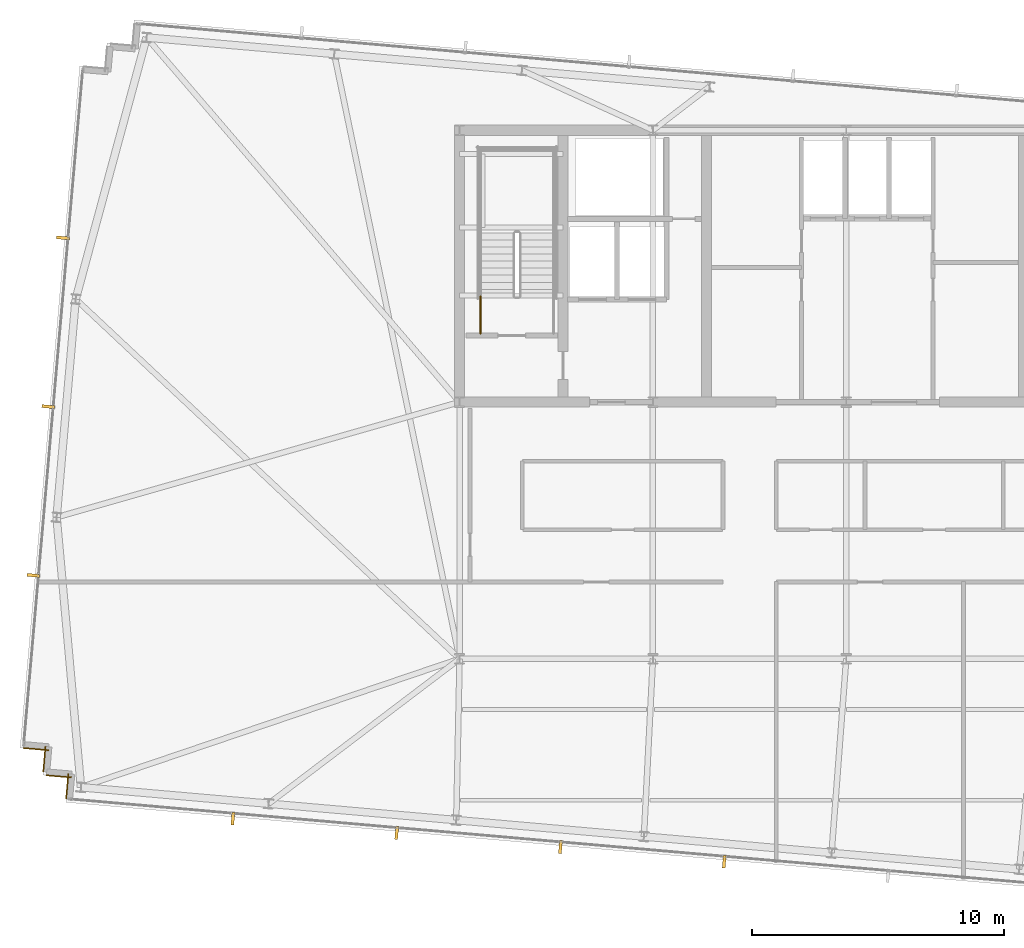
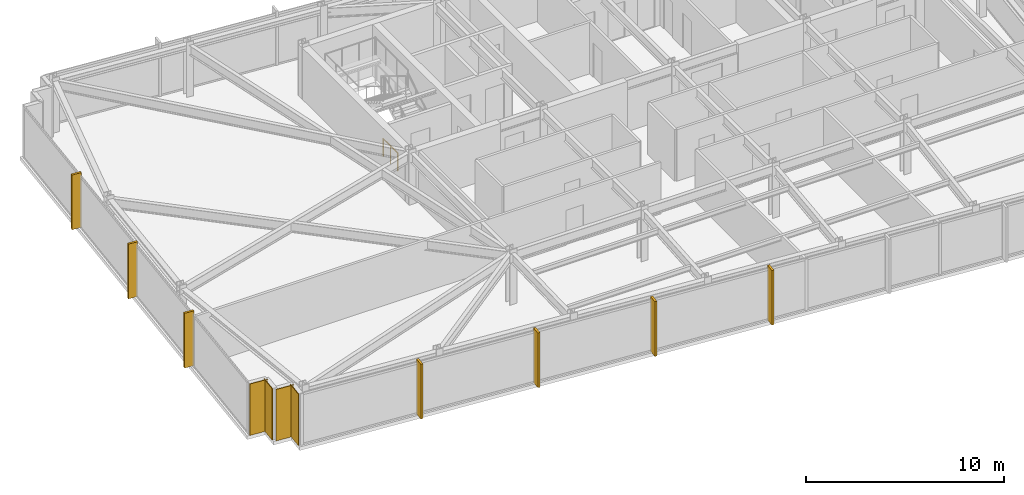
# One storey, part 29 of 32: 7 shading devices, 4 coverings, 1 railing.
"""IFC4 building model written with IfcOpenShell, lengths in metres."""

import ifcopenshell
import ifcopenshell.guid

model = None  # the IFC model being written
_history = None  # IfcOwnerHistory: only IFC2X3 demands one
_inside = {}  # id of a spatial element -> (the spatial element, [elements in it])
_under = {}  # id of a project, library or spatial element -> (it, [spatial elements below it])
_declared = {}  # id of a project -> (the project, [libraries it declares])
_typed = {}  # id of a type object -> (the type object, [elements of that type])
_made_of = {}  # id of a material, layer set ... -> (it, [elements and type objects made of it])


def new_model(schema):
    """Start an empty IFC model of exactly this schema.

    Asked for "IFC4X3", IfcOpenShell would pick the latest addendum, in which some entities
    have other attributes; the version numbers below select the first issue.
    IFC2X3 requires an IfcOwnerHistory on every rooted entity: one is made here for all.
    """
    global model, _history
    if schema == "IFC4X3":
        model = ifcopenshell.file(schema_version=(4, 3, 0, 0))
    else:
        model = ifcopenshell.file(schema=schema)
    _inside.clear()
    _under.clear()
    _declared.clear()
    _typed.clear()
    _made_of.clear()
    _history = None
    if model.schema == "IFC2X3":
        org = make("IfcOrganization", Name="unknown")
        user = make(
            "IfcPersonAndOrganization",
            ThePerson=make("IfcPerson", FamilyName="unknown"),
            TheOrganization=org,
        )
        app = make(
            "IfcApplication",
            ApplicationDeveloper=org,
            Version="unknown",
            ApplicationFullName="unknown",
            ApplicationIdentifier="unknown",
        )
        _history = make(
            "IfcOwnerHistory",
            OwningUser=user,
            OwningApplication=app,
            ChangeAction="ADDED",
            CreationDate=0,
        )
    return model


def make(cls, **values):
    """One entity of the class cls with the attributes given. An attribute that is None is left unset."""
    return model.create_entity(
        cls, **{name: value for name, value in values.items() if value is not None}
    )


def rooted(cls, **values):
    """An entity with a GlobalId (a new one), such as an element, a storey or a relation."""
    return make(cls, GlobalId=ifcopenshell.guid.new(), OwnerHistory=_history, **values)


def si_unit(unit_type, name, prefix=None):
    """IfcSIUnit, for example si_unit("LENGTHUNIT", "METRE", prefix="MILLI")."""
    return make("IfcSIUnit", UnitType=unit_type, Prefix=prefix, Name=name)


def assignment(units):
    """IfcUnitAssignment: the units of a project."""
    return None if units is None else make("IfcUnitAssignment", Units=units)


def point(xyz):
    """IfcCartesianPoint."""
    return None if xyz is None else make("IfcCartesianPoint", Coordinates=xyz)


def direction(xyz):
    """IfcDirection."""
    return None if xyz is None else make("IfcDirection", DirectionRatios=xyz)


def frame(location, z_axis=None, x_axis=None):
    """IfcAxis2Placement3D, a coordinate frame: its origin and axes. An axis left out is left unset."""
    return make(
        "IfcAxis2Placement3D",
        Location=point(location),
        Axis=direction(z_axis),
        RefDirection=direction(x_axis),
    )


def frame_2d(location, x_axis=None):
    """IfcAxis2Placement2D, a coordinate frame in the plane: its origin and x axis."""
    return make(
        "IfcAxis2Placement2D", Location=point(location), RefDirection=direction(x_axis)
    )


def origin():
    """The frame at (0, 0, 0) with its axes left unset."""
    return frame((0.0, 0.0, 0.0))


def origin_2d():
    """The frame at (0, 0) in the plane with its x axis left unset."""
    return frame_2d((0.0, 0.0))


def place(relative_to, where):
    """IfcLocalPlacement: puts the frame where relative to a parent placement (None: the world)."""
    return make(
        "IfcLocalPlacement", PlacementRelTo=relative_to, RelativePlacement=where
    )


def context(
    kind, dimensions, precision=None, world=None, true_north=None, identifier=None
):
    """IfcGeometricRepresentationContext, for example the 3D "Model" context."""
    return make(
        "IfcGeometricRepresentationContext",
        ContextIdentifier=identifier,
        ContextType=kind,
        CoordinateSpaceDimension=dimensions,
        Precision=precision,
        WorldCoordinateSystem=world,
        TrueNorth=true_north,
    )


def subcontext(parent, identifier, kind, view, scale=None):
    """IfcGeometricRepresentationSubContext, for example "Body" below "Model"."""
    return make(
        "IfcGeometricRepresentationSubContext",
        ContextIdentifier=identifier,
        ContextType=kind,
        ParentContext=parent,
        TargetScale=scale,
        TargetView=view,
    )


def project(units=None, contexts=None):
    """IfcProject with its units and contexts."""
    return rooted(
        "IfcProject",
        Name="project",
        RepresentationContexts=contexts,
        UnitsInContext=assignment(units),
    )


def spatial(cls, under=None, at=None, **own):
    """A site, building, storey or space (cls), placed at a placement, below another one or the project."""
    s = rooted(cls, ObjectPlacement=at, **own)
    if under is not None:
        _under.setdefault(under.id(), (under, []))[1].append(s)
    return s


def profile(cls, at=None, kind="AREA", **sizes):
    """A parametric profile (cls). Its sizes go by their IFC names, for example OverallWidth=200.0."""
    return make(cls, ProfileType=kind, Position=at, **sizes)


def rectangle(**sizes):
    """IfcRectangleProfileDef."""
    return profile("IfcRectangleProfileDef", **sizes)


def circle(**sizes):
    """IfcCircleProfileDef."""
    return profile("IfcCircleProfileDef", **sizes)


def extrude(swept, where, along, depth):
    """IfcExtrudedAreaSolid: the profile swept, set in the frame where, extruded along a direction by depth."""
    return make(
        "IfcExtrudedAreaSolid",
        SweptArea=swept,
        Position=where,
        ExtrudedDirection=direction(along),
        Depth=depth,
    )


def shape(context_of_items, identifier, shape_type, items):
    """IfcShapeRepresentation: the items that make up one representation, for example the "Body"."""
    return make(
        "IfcShapeRepresentation",
        ContextOfItems=context_of_items,
        RepresentationIdentifier=identifier,
        RepresentationType=shape_type,
        Items=items,
    )


def material(Name=None, Category=None):
    """IfcMaterial."""
    return make("IfcMaterial", Name=Name, Category=Category)


def layer(
    of_material, thickness, ventilated=None, Name=None, Category=None, Priority=None
):
    """IfcMaterialLayer: one layer of a wall or slab, of a material (None: an air gap)."""
    return make(
        "IfcMaterialLayer",
        Material=of_material,
        LayerThickness=thickness,
        IsVentilated=ventilated,
        Name=Name,
        Category=Category,
        Priority=Priority,
    )


def layer_set(layers, Name=None):
    """IfcMaterialLayerSet."""
    return make("IfcMaterialLayerSet", MaterialLayers=layers, LayerSetName=Name)


def made_of(thing, what):
    """Note that an element or type object is made of a material, layer set ...; save() writes the relation."""
    if what is not None:
        _made_of.setdefault(what.id(), (what, []))[1].append(thing)
    return thing


def type_object(cls, material=None, **own):
    """A type object (cls), such as IfcWallType, which elements share."""
    return made_of(rooted(cls, **own), material)


def element(
    cls,
    number,
    at=None,
    inside=None,
    cuts=None,
    type_object=None,
    material=None,
    context=None,
    identifier="Body",
    shape_type=None,
    held_by="IfcProductDefinitionShape",
    body=None,
    shapes=None,
    **own,
):
    """One element of the class cls, such as IfcWall. Its Tag is "e" and its number.

    at: its placement. inside: the storey or other place that contains it. cuts: it is an
    opening in that element (IfcRelVoidsElement). A single representation is given by context,
    identifier, shape_type and body (its items); several are given by shapes. held_by: the class
    of the entity that holds the representations. save() writes the other relations.
    """
    e = rooted(cls, Tag="e%d" % number, ObjectPlacement=at, **own)
    if body is not None:
        shapes = [shape(context, identifier, shape_type, body)]
    if shapes is not None:
        e.Representation = make(held_by, Representations=shapes)
    if inside is not None:
        _inside.setdefault(inside.id(), (inside, []))[1].append(e)
    if cuts is not None:
        rooted(
            "IfcRelVoidsElement", RelatingBuildingElement=cuts, RelatedOpeningElement=e
        )
    if type_object is not None:
        _typed.setdefault(type_object.id(), (type_object, []))[1].append(e)
    return made_of(e, material)


def aggregate(whole, parts):
    """IfcRelAggregates: a whole, such as a stair, and the parts it consists of."""
    return rooted("IfcRelAggregates", RelatingObject=whole, RelatedObjects=parts)


def save(model, path):
    """Write the relations noted so far, then the file.

    IfcRelAggregates (storeys below a building ...), IfcRelContainedInSpatialStructure (elements
    in a storey), IfcRelDefinesByType, IfcRelAssociatesMaterial and IfcRelDeclares: one each for
    every whole, place, type object, material and project.
    """
    for whole, parts in _under.values():
        aggregate(whole, parts)
    for where, things in _inside.values():
        rooted(
            "IfcRelContainedInSpatialStructure",
            RelatedElements=things,
            RelatingStructure=where,
        )
    for kind, things in _typed.values():
        rooted("IfcRelDefinesByType", RelatedObjects=things, RelatingType=kind)
    for what, things in _made_of.values():
        rooted("IfcRelAssociatesMaterial", RelatedObjects=things, RelatingMaterial=what)
    for by, libraries in _declared.values():
        rooted("IfcRelDeclares", RelatingContext=by, RelatedDefinitions=libraries)
    model.write(path)


model = new_model("IFC4")

# Units and contexts
model_context = context("Model", 3, precision=1e-05, world=origin(), true_north=direction((0.0, 1.0)))
body_context = subcontext(model_context, "Body", "Model", "MODEL_VIEW")
ifc_project = project(units=[si_unit("LENGTHUNIT", "METRE"), si_unit("AREAUNIT", "SQUARE_METRE"), si_unit("VOLUMEUNIT", "CUBIC_METRE"), si_unit("PLANEANGLEUNIT", "RADIAN"), si_unit("MASSUNIT", "GRAM", prefix="KILO")], contexts=[model_context])

# Site, building, storey
site_placement = place(None, origin())
site = spatial("IfcSite", under=ifc_project, at=site_placement, CompositionType="ELEMENT")
building_placement = place(site_placement, origin())
building = spatial("IfcBuilding", under=site, at=building_placement, Name="Yelkora Congress Tower", CompositionType="ELEMENT")
storey_placement = place(building_placement, frame((0.0, 0.0, 269.300048828125)))
storey = spatial("IfcBuildingStorey", under=building, at=storey_placement, Name="L75", CompositionType="ELEMENT", Elevation=269.300048828125)

# Coverings
ifc_material_1 = material(Name="Anatolian bush-hammered limestone", Category="masonry")
ifc_layer_1 = layer(ifc_material_1, 0.0400390625)
ifc_layer_set_1 = layer_set([ifc_layer_1], Name="Anatolian bush-hammered limestone")
covering_type = type_object("IfcCoveringType", Name="COV-CLAD-SPANDREL-40", PredefinedType="CLADDING", material=ifc_layer_set_1)
for number, where, z_axis, x_axis, name in (
    (1, (7.41064453125, 19.63720703125, 0.0), (0.0, 0.0, 1.0), (0.087166950281, 0.996193717496, 0.0), "L75 Anatolian Limestone Cladding EW-L75-SR01"),
    (2, (7.62060546875, 20.4873046875, 0.0), (0.0, 0.0, 1.0), (-0.996214890596, 0.086924632611, 0.0), "L75 Anatolian Limestone Cladding EW-L75-SR02"),
):
    element("IfcCovering", number, at=place(storey_placement, frame(where, z_axis=z_axis, x_axis=x_axis)), inside=storey, type_object=covering_type, Name=name, PredefinedType="CLADDING", context=body_context, shape_type="SweptSolid", body=[
        extrude(rectangle(XDim=1.0, YDim=0.0400390625, at=frame_2d((0.5, 0.0))), origin(), (0.0, 0.0, 1.0), 3.179931640625),
    ])
covering_1_placement = place(storey_placement, frame((6.501708984375, 20.720458984375, 0.0), z_axis=(0.0, 0.0, 1.0), x_axis=(0.087145753297, 0.996195572005, 0.0)))
element("IfcCovering", 3, at=covering_1_placement, inside=storey, type_object=covering_type, Name="L75 Anatolian Limestone Cladding EW-L75-SR03", PredefinedType="CLADDING", context=body_context, shape_type="SweptSolid", body=[
    extrude(rectangle(XDim=1.000244140625, YDim=0.0400390625, at=frame_2d((0.5, 0.0))), origin(), (0.0, 0.0, 1.0), 3.179931640625),
])
covering_2_placement = place(storey_placement, frame((6.71142578125, 21.570556640625, 0.0), z_axis=(0.0, 0.0, 1.0), x_axis=(-0.996193717496, 0.087166950281, 0.0)))
element("IfcCovering", 4, at=covering_2_placement, inside=storey, type_object=covering_type, Name="L75 Anatolian Limestone Cladding EW-L75-SR04", PredefinedType="CLADDING", context=body_context, shape_type="SweptSolid", body=[
    extrude(rectangle(XDim=1.0, YDim=0.0400390625, at=frame_2d((0.5, 0.0))), origin(), (0.0, 0.0, 1.0), 3.179931640625),
])

# Railing
ifc_material_2 = material(Name="Painted galvanised steel stair well guard with vertical infill", Category="steel")
ifc_layer_2 = layer(ifc_material_2, 0.06005859375)
ifc_layer_set_2 = layer_set([ifc_layer_2], Name="Painted galvanised steel stair well guard with vertical infill")
railing_type = type_object("IfcRailingType", Name="RAIL-STAIR-GUARD-1120", PredefinedType="GUARDRAIL", material=ifc_layer_set_2)
railing_placement = place(storey_placement, frame((23.8701171875, 38.1201171875, 0.0)))
element("IfcRailing", 5, at=railing_placement, inside=storey, type_object=railing_type, Name="ST-01 L75 Stair Well Guardrail 9", PredefinedType="GUARDRAIL", context=body_context, shape_type="SweptSolid", body=[
    extrude(circle(Radius=0.02392578125, at=origin_2d()), frame((0.0, 0.0, 1.09619140625), z_axis=(0.0, 1.0, 0.0), x_axis=(-1.0, 0.0, 0.0)), (0.0, 0.0, 1.0), 1.47998046875),
    extrude(circle(Radius=0.02099609375, at=origin_2d()), origin(), (0.0, 0.0, 1.0), 1.072021484375),
    extrude(circle(Radius=0.02099609375, at=origin_2d()), frame((0.0, 0.739990234375, 0.0)), (0.0, 0.0, 1.0), 1.072021484375),
    extrude(circle(Radius=0.02099609375, at=origin_2d()), frame((0.0, 1.47998046875, 0.0)), (0.0, 0.0, 1.0), 1.072021484375),
])

# Shading devices
ifc_material_3 = material(Name="Champagne anodised aluminium", Category="aluminium")
ifc_layer_3 = layer(ifc_material_3, 3.300048828125)
ifc_layer_set_3 = layer_set([ifc_layer_3], Name="Champagne anodised aluminium")
shading_device_type = type_object("IfcShadingDeviceType", Name="SHD-FIN-ALU-520", PredefinedType="USERDEFINED", material=ifc_layer_set_3)
for number, where, z_axis, x_axis, name in (
    (6, (6.114501953125, 28.513916015625, -0.030029296875), (0.0, 0.0, 1.0), (0.087155742748, 0.996194698092, 0.0), "L75 Vertical Anodised Solar Fin 5-1"),
    (7, (6.700927734375, 35.218505859375, -0.030029296875), (0.0, 0.0, 1.0), (0.087155742748, 0.996194698092, 0.0), "L75 Vertical Anodised Solar Fin 5-2"),
    (8, (7.28759765625, 41.9228515625, -0.030029296875), (0.0, 0.0, 1.0), (0.087155742748, 0.996194698092, 0.0), "L75 Vertical Anodised Solar Fin 5-3"),
    (9, (33.553955078125, 17.149169921875, -0.030029296875), (0.0, 0.0, 1.0), (-0.996194698092, 0.087155742748, 0.0), "L75 Vertical Anodised Solar Fin 20-3"),
    (10, (27.04736328125, 17.718505859375, -0.030029296875), (0.0, 0.0, 1.0), (-0.996194698092, 0.087155742748, 0.0), "L75 Vertical Anodised Solar Fin 20-4"),
    (11, (20.541015625, 18.28759765625, -0.030029296875), (0.0, 0.0, 1.0), (-0.996194698092, 0.087155742748, 0.0), "L75 Vertical Anodised Solar Fin 20-5"),
    (12, (14.0341796875, 18.85693359375, -0.030029296875), (0.0, 0.0, 1.0), (-0.996194698092, 0.087155742748, 0.0), "L75 Vertical Anodised Solar Fin 20-6"),
):
    element("IfcShadingDevice", number, at=place(storey_placement, frame(where, z_axis=z_axis, x_axis=x_axis)), inside=storey, type_object=shading_device_type, Name=name, ObjectType="FIN", PredefinedType="USERDEFINED", context=body_context, shape_type="SweptSolid", body=[
        extrude(rectangle(XDim=0.1201171875, YDim=0.52001953125, at=origin_2d()), origin(), (0.0, 0.0, 1.0), 3.3798828125),
    ])

save(model, "model.ifc")
